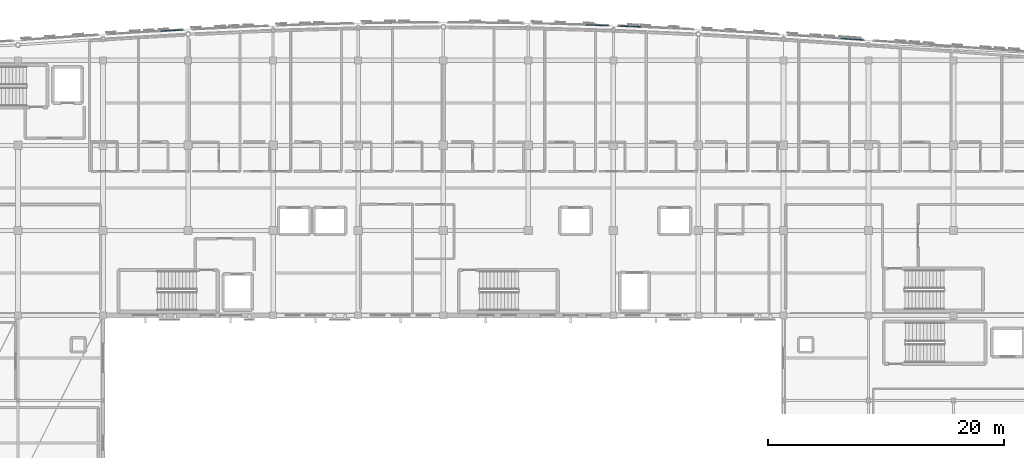
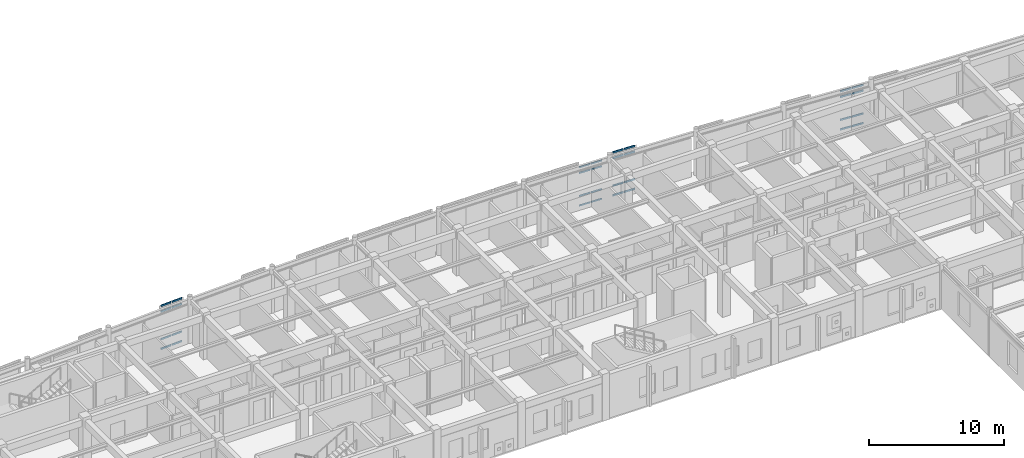
# One storey, part 64 of 113: 32 members, 4 elements without a shape of their own.
"""IFC4 building model written with IfcOpenShell, lengths in metres."""

from ifc_helpers import new_model, si_unit, direction, frame, origin, origin_2d, place, context, subcontext, project, spatial, hollow_rectangle, extrude, material, layer, layer_set, material_profile, profile_set, type_object, element, aggregate, save


model = new_model("IFC4")

# Units and contexts
model_context = context("Model", 3, precision=1e-05, world=origin(), true_north=direction((0.0, 1.0)))
body_context = subcontext(model_context, "Body", "Model", "MODEL_VIEW")
ifc_project = project(units=[si_unit("LENGTHUNIT", "METRE"), si_unit("AREAUNIT", "SQUARE_METRE"), si_unit("VOLUMEUNIT", "CUBIC_METRE"), si_unit("PLANEANGLEUNIT", "RADIAN"), si_unit("MASSUNIT", "GRAM", prefix="KILO")], contexts=[model_context])

# Site, building, storey
site_placement = place(None, origin())
site = spatial("IfcSite", under=ifc_project, at=site_placement, CompositionType="ELEMENT")
building_placement = place(site_placement, origin())
building = spatial("IfcBuilding", under=site, at=building_placement, Name="Carrowvane Square Congress Hotel", CompositionType="ELEMENT")
storey_placement = place(building_placement, frame((0.0, 0.0, 15.0)))
storey = spatial("IfcBuildingStorey", under=building, at=storey_placement, Name="L03", CompositionType="ELEMENT", Elevation=15.0)

# Curtain wall, members
ifc_material_1 = material(Name="Anodised aluminium", Category="aluminium")
ifc_layer_1 = layer(ifc_material_1, 0.23388671875)
ifc_layer_set_1 = layer_set([ifc_layer_1], Name="Anodised aluminium")
curtain_wall_type_1 = type_object("IfcCurtainWallType", Name="CW-SYS-7", PredefinedType="NOTDEFINED", material=ifc_layer_set_1)
curtain_wall_1_placement = place(storey_placement, origin())
curtain_wall_1 = element("IfcCurtainWall", 1, at=curtain_wall_1_placement, inside=storey, type_object=curtain_wall_type_1, Name="L03 unitised curtain wall 222", PredefinedType="NOTDEFINED")
ifc_material_2 = material(Name="Anodised aluminium", Category="aluminium")
ifc_material_profile_1 = material_profile(ifc_material_2, hollow_rectangle(XDim=0.06005859375, YDim=0.1298828125, WallThickness=0.00390625, at=origin_2d()), Name="CW-TR 60x130x4")
ifc_profile_set_1 = profile_set([ifc_material_profile_1], Name="Anodised aluminium")
member_type_1 = type_object("IfcMemberType", Name="CW-TRN-1", PredefinedType="USERDEFINED", material=ifc_profile_set_1)
member_1_placement = place(storey_placement, frame((110.06005859375, 116.40478515625, 0.030029296875), z_axis=(0.999402547595, -0.034562231715, 0.0), x_axis=(0.034562231715, 0.999402547595, 0.0)))
member_1 = element("IfcMember", 2, at=member_1_placement, type_object=member_type_1, Name="CW-7 transom 1.1", ObjectType="TRANSOM", PredefinedType="USERDEFINED", context=body_context, shape_type="SweptSolid", body=[
    extrude(hollow_rectangle(XDim=0.06005859375, YDim=0.1298828125, WallThickness=0.00390625, at=origin_2d()), origin(), (0.0, 0.0, 1.0), 0.92529296875),
])
member_2_placement = place(storey_placement, frame((110.06005859375, 116.40478515625, 0.89990234375), z_axis=(0.999402547595, -0.034562231715, 0.0), x_axis=(0.034562231715, 0.999402547595, 0.0)))
member_2 = element("IfcMember", 3, at=member_2_placement, type_object=member_type_1, Name="CW-7 transom 1.2", ObjectType="TRANSOM", PredefinedType="USERDEFINED", context=body_context, shape_type="SweptSolid", body=[
    extrude(hollow_rectangle(XDim=0.06005859375, YDim=0.1298828125, WallThickness=0.00390625, at=origin_2d()), origin(), (0.0, 0.0, 1.0), 0.92529296875),
])
member_3_placement = place(storey_placement, frame((110.06005859375, 116.40478515625, 2.965576171875), z_axis=(0.999402547595, -0.034562231715, 0.0), x_axis=(0.034562231715, 0.999402547595, 0.0)))
member_3 = element("IfcMember", 4, at=member_3_placement, type_object=member_type_1, Name="CW-7 transom 1.3", ObjectType="TRANSOM", PredefinedType="USERDEFINED", context=body_context, shape_type="SweptSolid", body=[
    extrude(hollow_rectangle(XDim=0.06005859375, YDim=0.1298828125, WallThickness=0.00390625, at=origin_2d()), origin(), (0.0, 0.0, 1.0), 0.92529296875),
])
member_4_placement = place(storey_placement, frame((110.06005859375, 116.40478515625, 3.485595703125), z_axis=(0.999402547595, -0.034562231715, 0.0), x_axis=(0.034562231715, 0.999402547595, 0.0)))
member_4 = element("IfcMember", 5, at=member_4_placement, type_object=member_type_1, Name="CW-7 transom 1.4", ObjectType="TRANSOM", PredefinedType="USERDEFINED", context=body_context, shape_type="SweptSolid", body=[
    extrude(hollow_rectangle(XDim=0.06005859375, YDim=0.1298828125, WallThickness=0.00390625, at=origin_2d()), origin(), (0.0, 0.0, 1.0), 0.92529296875),
])
member_5_placement = place(storey_placement, frame((111.044677734375, 116.370849609375, 0.030029296875), z_axis=(0.999402547595, -0.034562231715, 0.0), x_axis=(0.034562231715, 0.999402547595, 0.0)))
member_5 = element("IfcMember", 6, at=member_5_placement, type_object=member_type_1, Name="CW-7 transom 2.1", ObjectType="TRANSOM", PredefinedType="USERDEFINED", context=body_context, shape_type="SweptSolid", body=[
    extrude(hollow_rectangle(XDim=0.06005859375, YDim=0.1298828125, WallThickness=0.00390625, at=origin_2d()), origin(), (0.0, 0.0, 1.0), 0.92529296875),
])
member_6_placement = place(storey_placement, frame((111.044677734375, 116.370849609375, 0.89990234375), z_axis=(0.999402547595, -0.034562231715, 0.0), x_axis=(0.034562231715, 0.999402547595, 0.0)))
member_6 = element("IfcMember", 7, at=member_6_placement, type_object=member_type_1, Name="CW-7 transom 2.2", ObjectType="TRANSOM", PredefinedType="USERDEFINED", context=body_context, shape_type="SweptSolid", body=[
    extrude(hollow_rectangle(XDim=0.06005859375, YDim=0.1298828125, WallThickness=0.00390625, at=origin_2d()), origin(), (0.0, 0.0, 1.0), 0.92529296875),
])
member_7_placement = place(storey_placement, frame((111.044677734375, 116.370849609375, 2.965576171875), z_axis=(0.999402547595, -0.034562231715, 0.0), x_axis=(0.034562231715, 0.999402547595, 0.0)))
member_7 = element("IfcMember", 8, at=member_7_placement, type_object=member_type_1, Name="CW-7 transom 2.3", ObjectType="TRANSOM", PredefinedType="USERDEFINED", context=body_context, shape_type="SweptSolid", body=[
    extrude(hollow_rectangle(XDim=0.06005859375, YDim=0.1298828125, WallThickness=0.00390625, at=origin_2d()), origin(), (0.0, 0.0, 1.0), 0.92529296875),
])
member_8_placement = place(storey_placement, frame((111.044677734375, 116.370849609375, 3.485595703125), z_axis=(0.999402547595, -0.034562231715, 0.0), x_axis=(0.034562231715, 0.999402547595, 0.0)))
member_8 = element("IfcMember", 9, at=member_8_placement, type_object=member_type_1, Name="CW-7 transom 2.4", ObjectType="TRANSOM", PredefinedType="USERDEFINED", context=body_context, shape_type="SweptSolid", body=[
    extrude(hollow_rectangle(XDim=0.06005859375, YDim=0.1298828125, WallThickness=0.00390625, at=origin_2d()), origin(), (0.0, 0.0, 1.0), 0.92529296875),
])
aggregate(curtain_wall_1, [member_1, member_2, member_3, member_4, member_5, member_6, member_7, member_8])

ifc_material_3 = material(Name="Anodised aluminium", Category="aluminium")
ifc_layer_2 = layer(ifc_material_3, 0.24609375)
ifc_layer_set_2 = layer_set([ifc_layer_2], Name="Anodised aluminium")
curtain_wall_type_2 = type_object("IfcCurtainWallType", Name="CW-SYS-8", PredefinedType="NOTDEFINED", material=ifc_layer_set_2)
curtain_wall_2_placement = place(storey_placement, origin())
curtain_wall_2 = element("IfcCurtainWall", 10, at=curtain_wall_2_placement, inside=storey, type_object=curtain_wall_type_2, Name="L03 unitised curtain wall 207", PredefinedType="NOTDEFINED")
ifc_material_4 = material(Name="Anodised aluminium", Category="aluminium")
ifc_material_profile_2 = material_profile(ifc_material_4, hollow_rectangle(XDim=0.070068359375, YDim=0.14990234375, WallThickness=0.0048828125, at=origin_2d()), Name="CW-TR 70x150x5")
ifc_profile_set_2 = profile_set([ifc_material_profile_2], Name="Anodised aluminium")
member_type_2 = type_object("IfcMemberType", Name="CW-TRN-2", PredefinedType="USERDEFINED", material=ifc_profile_set_2)
member_9_placement = place(storey_placement, frame((74.06982421875, 115.86962890625, 0.034912109375), z_axis=(0.998493765365, 0.054865294379, 0.0), x_axis=(-0.054865294379, 0.998493765365, 0.0)))
member_9 = element("IfcMember", 11, at=member_9_placement, type_object=member_type_2, Name="CW-8 transom 1.1", ObjectType="TRANSOM", PredefinedType="USERDEFINED", context=body_context, shape_type="SweptSolid", body=[
    extrude(hollow_rectangle(XDim=0.070068359375, YDim=0.14990234375, WallThickness=0.0048828125, at=origin_2d()), origin(), (0.0, 0.0, 1.0), 0.89453125),
])
member_10_placement = place(storey_placement, frame((74.06982421875, 115.86962890625, 0.89990234375), z_axis=(0.998493765365, 0.054865294379, 0.0), x_axis=(-0.054865294379, 0.998493765365, 0.0)))
member_10 = element("IfcMember", 12, at=member_10_placement, type_object=member_type_2, Name="CW-8 transom 1.2", ObjectType="TRANSOM", PredefinedType="USERDEFINED", context=body_context, shape_type="SweptSolid", body=[
    extrude(hollow_rectangle(XDim=0.070068359375, YDim=0.14990234375, WallThickness=0.0048828125, at=origin_2d()), origin(), (0.0, 0.0, 1.0), 0.89453125),
])
member_11_placement = place(storey_placement, frame((74.06982421875, 115.86962890625, 3.389892578125), z_axis=(0.998493765365, 0.054865294379, 0.0), x_axis=(-0.054865294379, 0.998493765365, 0.0)))
member_11 = element("IfcMember", 13, at=member_11_placement, type_object=member_type_2, Name="CW-8 transom 1.3", ObjectType="TRANSOM", PredefinedType="USERDEFINED", context=body_context, shape_type="SweptSolid", body=[
    extrude(hollow_rectangle(XDim=0.070068359375, YDim=0.14990234375, WallThickness=0.0048828125, at=origin_2d()), origin(), (0.0, 0.0, 1.0), 0.89453125),
])
member_12_placement = place(storey_placement, frame((74.06982421875, 115.86962890625, 3.905029296875), z_axis=(0.998493765365, 0.054865294379, 0.0), x_axis=(-0.054865294379, 0.998493765365, 0.0)))
member_12 = element("IfcMember", 14, at=member_12_placement, type_object=member_type_2, Name="CW-8 transom 1.4", ObjectType="TRANSOM", PredefinedType="USERDEFINED", context=body_context, shape_type="SweptSolid", body=[
    extrude(hollow_rectangle(XDim=0.070068359375, YDim=0.14990234375, WallThickness=0.0048828125, at=origin_2d()), origin(), (0.0, 0.0, 1.0), 0.89453125),
])
member_13_placement = place(storey_placement, frame((75.03271484375, 115.922607421875, 0.034912109375), z_axis=(0.998507868183, 0.054608032167, 0.0), x_axis=(-0.054608032167, 0.998507868183, 0.0)))
member_13 = element("IfcMember", 15, at=member_13_placement, type_object=member_type_2, Name="CW-8 transom 2.1", ObjectType="TRANSOM", PredefinedType="USERDEFINED", context=body_context, shape_type="SweptSolid", body=[
    extrude(hollow_rectangle(XDim=0.070068359375, YDim=0.14990234375, WallThickness=0.0048828125, at=origin_2d()), origin(), (0.0, 0.0, 1.0), 0.89404296875),
])
member_14_placement = place(storey_placement, frame((75.03271484375, 115.922607421875, 0.89990234375), z_axis=(0.998507868183, 0.054608032167, 0.0), x_axis=(-0.054608032167, 0.998507868183, 0.0)))
member_14 = element("IfcMember", 16, at=member_14_placement, type_object=member_type_2, Name="CW-8 transom 2.2", ObjectType="TRANSOM", PredefinedType="USERDEFINED", context=body_context, shape_type="SweptSolid", body=[
    extrude(hollow_rectangle(XDim=0.070068359375, YDim=0.14990234375, WallThickness=0.0048828125, at=origin_2d()), origin(), (0.0, 0.0, 1.0), 0.89404296875),
])
member_15_placement = place(storey_placement, frame((75.03271484375, 115.922607421875, 3.389892578125), z_axis=(0.998507868183, 0.054608032167, 0.0), x_axis=(-0.054608032167, 0.998507868183, 0.0)))
member_15 = element("IfcMember", 17, at=member_15_placement, type_object=member_type_2, Name="CW-8 transom 2.3", ObjectType="TRANSOM", PredefinedType="USERDEFINED", context=body_context, shape_type="SweptSolid", body=[
    extrude(hollow_rectangle(XDim=0.070068359375, YDim=0.14990234375, WallThickness=0.0048828125, at=origin_2d()), origin(), (0.0, 0.0, 1.0), 0.89404296875),
])
member_16_placement = place(storey_placement, frame((75.03271484375, 115.922607421875, 3.905029296875), z_axis=(0.998507868183, 0.054608032167, 0.0), x_axis=(-0.054608032167, 0.998507868183, 0.0)))
member_16 = element("IfcMember", 18, at=member_16_placement, type_object=member_type_2, Name="CW-8 transom 2.4", ObjectType="TRANSOM", PredefinedType="USERDEFINED", context=body_context, shape_type="SweptSolid", body=[
    extrude(hollow_rectangle(XDim=0.070068359375, YDim=0.14990234375, WallThickness=0.0048828125, at=origin_2d()), origin(), (0.0, 0.0, 1.0), 0.89404296875),
])
aggregate(curtain_wall_2, [member_9, member_10, member_11, member_12, member_13, member_14, member_15, member_16])

curtain_wall_3_placement = place(storey_placement, origin())
curtain_wall_3 = element("IfcCurtainWall", 19, at=curtain_wall_3_placement, inside=storey, type_object=curtain_wall_type_2, Name="L03 unitised curtain wall 223", PredefinedType="NOTDEFINED")
member_17_placement = place(storey_placement, frame((112.868896484375, 116.30517578125, 0.034912109375), z_axis=(0.999197909708, -0.040044191038, 0.0), x_axis=(0.040044191038, 0.999197909708, 0.0)))
member_17 = element("IfcMember", 20, at=member_17_placement, type_object=member_type_2, Name="CW-8 transom 1.1", ObjectType="TRANSOM", PredefinedType="USERDEFINED", context=body_context, shape_type="SweptSolid", body=[
    extrude(hollow_rectangle(XDim=0.070068359375, YDim=0.14990234375, WallThickness=0.0048828125, at=origin_2d()), origin(), (0.0, 0.0, 1.0), 0.896240234375),
])
member_18_placement = place(storey_placement, frame((112.868896484375, 116.30517578125, 0.89990234375), z_axis=(0.999197909708, -0.040044191038, 0.0), x_axis=(0.040044191038, 0.999197909708, 0.0)))
member_18 = element("IfcMember", 21, at=member_18_placement, type_object=member_type_2, Name="CW-8 transom 1.2", ObjectType="TRANSOM", PredefinedType="USERDEFINED", context=body_context, shape_type="SweptSolid", body=[
    extrude(hollow_rectangle(XDim=0.070068359375, YDim=0.14990234375, WallThickness=0.0048828125, at=origin_2d()), origin(), (0.0, 0.0, 1.0), 0.896240234375),
])
member_19_placement = place(storey_placement, frame((112.868896484375, 116.30517578125, 3.389892578125), z_axis=(0.999197909708, -0.040044191038, 0.0), x_axis=(0.040044191038, 0.999197909708, 0.0)))
member_19 = element("IfcMember", 22, at=member_19_placement, type_object=member_type_2, Name="CW-8 transom 1.3", ObjectType="TRANSOM", PredefinedType="USERDEFINED", context=body_context, shape_type="SweptSolid", body=[
    extrude(hollow_rectangle(XDim=0.070068359375, YDim=0.14990234375, WallThickness=0.0048828125, at=origin_2d()), origin(), (0.0, 0.0, 1.0), 0.896240234375),
])
member_20_placement = place(storey_placement, frame((112.868896484375, 116.30517578125, 3.905029296875), z_axis=(0.999197909708, -0.040044191038, 0.0), x_axis=(0.040044191038, 0.999197909708, 0.0)))
member_20 = element("IfcMember", 23, at=member_20_placement, type_object=member_type_2, Name="CW-8 transom 1.4", ObjectType="TRANSOM", PredefinedType="USERDEFINED", context=body_context, shape_type="SweptSolid", body=[
    extrude(hollow_rectangle(XDim=0.070068359375, YDim=0.14990234375, WallThickness=0.0048828125, at=origin_2d()), origin(), (0.0, 0.0, 1.0), 0.896240234375),
])
member_21_placement = place(storey_placement, frame((113.83447265625, 116.266357421875, 0.034912109375), z_axis=(0.999197909708, -0.040044191038, 0.0), x_axis=(0.040044191038, 0.999197909708, 0.0)))
member_21 = element("IfcMember", 24, at=member_21_placement, type_object=member_type_2, Name="CW-8 transom 2.1", ObjectType="TRANSOM", PredefinedType="USERDEFINED", context=body_context, shape_type="SweptSolid", body=[
    extrude(hollow_rectangle(XDim=0.070068359375, YDim=0.14990234375, WallThickness=0.0048828125, at=origin_2d()), origin(), (0.0, 0.0, 1.0), 0.896240234375),
])
member_22_placement = place(storey_placement, frame((113.83447265625, 116.266357421875, 0.89990234375), z_axis=(0.999197909708, -0.040044191038, 0.0), x_axis=(0.040044191038, 0.999197909708, 0.0)))
member_22 = element("IfcMember", 25, at=member_22_placement, type_object=member_type_2, Name="CW-8 transom 2.2", ObjectType="TRANSOM", PredefinedType="USERDEFINED", context=body_context, shape_type="SweptSolid", body=[
    extrude(hollow_rectangle(XDim=0.070068359375, YDim=0.14990234375, WallThickness=0.0048828125, at=origin_2d()), origin(), (0.0, 0.0, 1.0), 0.896240234375),
])
member_23_placement = place(storey_placement, frame((113.83447265625, 116.266357421875, 3.389892578125), z_axis=(0.999197909708, -0.040044191038, 0.0), x_axis=(0.040044191038, 0.999197909708, 0.0)))
member_23 = element("IfcMember", 26, at=member_23_placement, type_object=member_type_2, Name="CW-8 transom 2.3", ObjectType="TRANSOM", PredefinedType="USERDEFINED", context=body_context, shape_type="SweptSolid", body=[
    extrude(hollow_rectangle(XDim=0.070068359375, YDim=0.14990234375, WallThickness=0.0048828125, at=origin_2d()), origin(), (0.0, 0.0, 1.0), 0.896240234375),
])
member_24_placement = place(storey_placement, frame((113.83447265625, 116.266357421875, 3.905029296875), z_axis=(0.999197909708, -0.040044191038, 0.0), x_axis=(0.040044191038, 0.999197909708, 0.0)))
member_24 = element("IfcMember", 27, at=member_24_placement, type_object=member_type_2, Name="CW-8 transom 2.4", ObjectType="TRANSOM", PredefinedType="USERDEFINED", context=body_context, shape_type="SweptSolid", body=[
    extrude(hollow_rectangle(XDim=0.070068359375, YDim=0.14990234375, WallThickness=0.0048828125, at=origin_2d()), origin(), (0.0, 0.0, 1.0), 0.896240234375),
])
aggregate(curtain_wall_3, [member_17, member_18, member_19, member_20, member_21, member_22, member_23, member_24])

curtain_wall_4_placement = place(storey_placement, origin())
curtain_wall_4 = element("IfcCurtainWall", 28, at=curtain_wall_4_placement, inside=storey, type_object=curtain_wall_type_2, Name="L03 unitised curtain wall 231", PredefinedType="NOTDEFINED")
member_25_placement = place(storey_placement, frame((131.669921875, 115.248779296875, 0.034912109375), z_axis=(0.997573384261, -0.069622862727, 0.0), x_axis=(0.069622862727, 0.997573384261, 0.0)))
member_25 = element("IfcMember", 29, at=member_25_placement, type_object=member_type_2, Name="CW-8 transom 1.1", ObjectType="TRANSOM", PredefinedType="USERDEFINED", context=body_context, shape_type="SweptSolid", body=[
    extrude(hollow_rectangle(XDim=0.070068359375, YDim=0.14990234375, WallThickness=0.0048828125, at=origin_2d()), origin(), (0.0, 0.0, 1.0), 0.918701171875),
])
member_26_placement = place(storey_placement, frame((131.669921875, 115.248779296875, 0.89990234375), z_axis=(0.997573384261, -0.069622862727, 0.0), x_axis=(0.069622862727, 0.997573384261, 0.0)))
member_26 = element("IfcMember", 30, at=member_26_placement, type_object=member_type_2, Name="CW-8 transom 1.2", ObjectType="TRANSOM", PredefinedType="USERDEFINED", context=body_context, shape_type="SweptSolid", body=[
    extrude(hollow_rectangle(XDim=0.070068359375, YDim=0.14990234375, WallThickness=0.0048828125, at=origin_2d()), origin(), (0.0, 0.0, 1.0), 0.918701171875),
])
member_27_placement = place(storey_placement, frame((131.669921875, 115.248779296875, 2.965576171875), z_axis=(0.997573384261, -0.069622862727, 0.0), x_axis=(0.069622862727, 0.997573384261, 0.0)))
member_27 = element("IfcMember", 31, at=member_27_placement, type_object=member_type_2, Name="CW-8 transom 1.3", ObjectType="TRANSOM", PredefinedType="USERDEFINED", context=body_context, shape_type="SweptSolid", body=[
    extrude(hollow_rectangle(XDim=0.070068359375, YDim=0.14990234375, WallThickness=0.0048828125, at=origin_2d()), origin(), (0.0, 0.0, 1.0), 0.918701171875),
])
member_28_placement = place(storey_placement, frame((131.669921875, 115.248779296875, 3.480712890625), z_axis=(0.997573384261, -0.069622862727, 0.0), x_axis=(0.069622862727, 0.997573384261, 0.0)))
member_28 = element("IfcMember", 32, at=member_28_placement, type_object=member_type_2, Name="CW-8 transom 1.4", ObjectType="TRANSOM", PredefinedType="USERDEFINED", context=body_context, shape_type="SweptSolid", body=[
    extrude(hollow_rectangle(XDim=0.070068359375, YDim=0.14990234375, WallThickness=0.0048828125, at=origin_2d()), origin(), (0.0, 0.0, 1.0), 0.918701171875),
])
member_29_placement = place(storey_placement, frame((132.65625, 115.179931640625, 0.034912109375), z_axis=(0.997556190517, -0.069868782452, 0.0), x_axis=(0.069868782452, 0.997556190517, 0.0)))
member_29 = element("IfcMember", 33, at=member_29_placement, type_object=member_type_2, Name="CW-8 transom 2.1", ObjectType="TRANSOM", PredefinedType="USERDEFINED", context=body_context, shape_type="SweptSolid", body=[
    extrude(hollow_rectangle(XDim=0.070068359375, YDim=0.14990234375, WallThickness=0.0048828125, at=origin_2d()), origin(), (0.0, 0.0, 1.0), 0.9189453125),
])
member_30_placement = place(storey_placement, frame((132.65625, 115.179931640625, 0.89990234375), z_axis=(0.997556190517, -0.069868782452, 0.0), x_axis=(0.069868782452, 0.997556190517, 0.0)))
member_30 = element("IfcMember", 34, at=member_30_placement, type_object=member_type_2, Name="CW-8 transom 2.2", ObjectType="TRANSOM", PredefinedType="USERDEFINED", context=body_context, shape_type="SweptSolid", body=[
    extrude(hollow_rectangle(XDim=0.070068359375, YDim=0.14990234375, WallThickness=0.0048828125, at=origin_2d()), origin(), (0.0, 0.0, 1.0), 0.9189453125),
])
member_31_placement = place(storey_placement, frame((132.65625, 115.179931640625, 2.965576171875), z_axis=(0.997556190517, -0.069868782452, 0.0), x_axis=(0.069868782452, 0.997556190517, 0.0)))
member_31 = element("IfcMember", 35, at=member_31_placement, type_object=member_type_2, Name="CW-8 transom 2.3", ObjectType="TRANSOM", PredefinedType="USERDEFINED", context=body_context, shape_type="SweptSolid", body=[
    extrude(hollow_rectangle(XDim=0.070068359375, YDim=0.14990234375, WallThickness=0.0048828125, at=origin_2d()), origin(), (0.0, 0.0, 1.0), 0.9189453125),
])
member_32_placement = place(storey_placement, frame((132.65625, 115.179931640625, 3.480712890625), z_axis=(0.997556190517, -0.069868782452, 0.0), x_axis=(0.069868782452, 0.997556190517, 0.0)))
member_32 = element("IfcMember", 36, at=member_32_placement, type_object=member_type_2, Name="CW-8 transom 2.4", ObjectType="TRANSOM", PredefinedType="USERDEFINED", context=body_context, shape_type="SweptSolid", body=[
    extrude(hollow_rectangle(XDim=0.070068359375, YDim=0.14990234375, WallThickness=0.0048828125, at=origin_2d()), origin(), (0.0, 0.0, 1.0), 0.9189453125),
])
aggregate(curtain_wall_4, [member_25, member_26, member_27, member_28, member_29, member_30, member_31, member_32])

save(model, "model.ifc")
